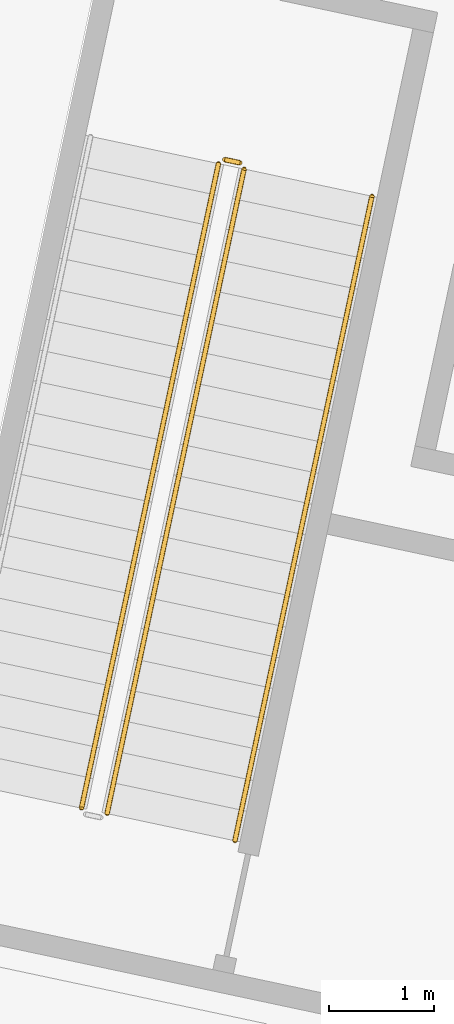
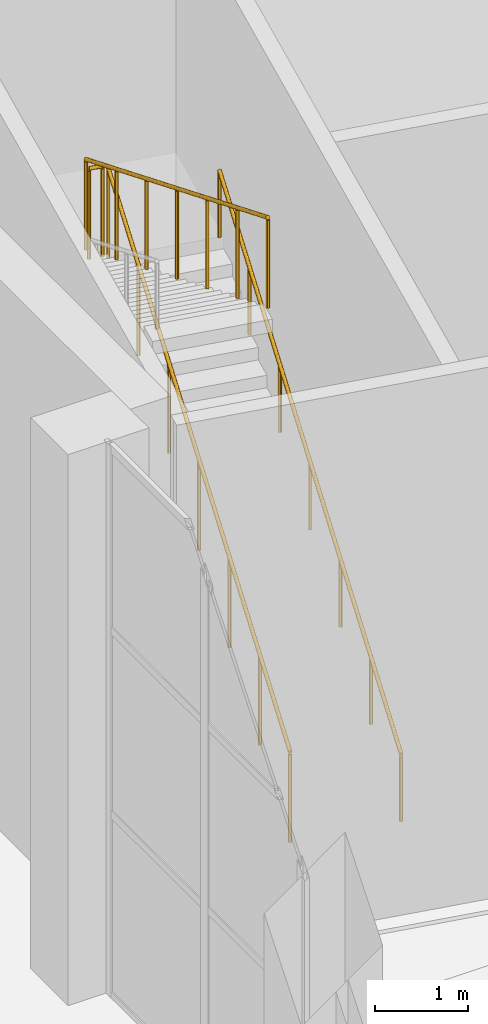
# One storey, part 224 of 239: 4 railings.
"""IFC4 building model written with IfcOpenShell, lengths in metres."""

from ifc_helpers import new_model, si_unit, direction, frame, origin, origin_2d, place, context, subcontext, project, spatial, circle, extrude, material, type_object, element, save


model = new_model("IFC4")

# Units and contexts
model_context = context("Model", 3, precision=1e-05, world=origin(), true_north=direction((0.0, 1.0)))
body_context = subcontext(model_context, "Body", "Model", "MODEL_VIEW")
ifc_project = project(units=[si_unit("LENGTHUNIT", "METRE"), si_unit("AREAUNIT", "SQUARE_METRE"), si_unit("VOLUMEUNIT", "CUBIC_METRE"), si_unit("PLANEANGLEUNIT", "RADIAN"), si_unit("MASSUNIT", "GRAM", prefix="KILO")], contexts=[model_context])

# Site, building, storey
site_placement = place(None, origin())
site = spatial("IfcSite", under=ifc_project, at=site_placement, CompositionType="ELEMENT")
building_placement = place(site_placement, origin())
building = spatial("IfcBuilding", under=site, at=building_placement, Name="Okhra Congress Centre", CompositionType="ELEMENT")
storey_placement = place(building_placement, origin())
storey = spatial("IfcBuildingStorey", under=building, at=storey_placement, Name="L00", CompositionType="ELEMENT", Elevation=0.0)

# Railings
ifc_material_1 = material(Name="Painted steel tube handrail on wall brackets", Category="steel")
railing_type_1 = type_object("IfcRailingType", Name="Steel handrail 900", PredefinedType="HANDRAIL", material=ifc_material_1)
railing_1_placement = place(storey_placement, frame((193.1943359375, 96.598876953125, 0.16357421875)))
element("IfcRailing", 1, at=railing_1_placement, inside=storey, type_object=railing_type_1, Name="L00 BG1 stair handrail 1", PredefinedType="HANDRAIL", context=body_context, shape_type="SweptSolid", body=[
    extrude(circle(Radius=0.02392578125, at=origin_2d()), frame((0.0, 0.0, 0.8759765625), z_axis=(0.182518357285, 0.858703794265, 0.478868293969), x_axis=(-0.978148705425, 0.207906493586, 0.0)), (0.0, 0.0, 1.0), 7.17626953125),
    extrude(circle(Radius=0.02099609375, at=origin_2d()), origin(), (0.0, 0.0, 1.0), 0.851806640625),
    extrude(circle(Radius=0.02099609375, at=origin_2d()), frame((0.21826171875, 1.027099609375, 0.57275390625)), (0.0, 0.0, 1.0), 0.851806640625),
    extrude(circle(Radius=0.02099609375, at=origin_2d()), frame((0.4365234375, 2.05419921875, 1.1455078125)), (0.0, 0.0, 1.0), 0.851806640625),
    extrude(circle(Radius=0.02099609375, at=origin_2d()), frame((0.65478515625, 3.0810546875, 1.71826171875)), (0.0, 0.0, 1.0), 0.851806640625),
    extrude(circle(Radius=0.02099609375, at=origin_2d()), frame((0.873291015625, 4.108154296875, 2.291015625)), (0.0, 0.0, 1.0), 0.851806640625),
    extrude(circle(Radius=0.02099609375, at=origin_2d()), frame((1.091552734375, 5.13525390625, 2.86376953125)), (0.0, 0.0, 1.0), 0.851806640625),
    extrude(circle(Radius=0.02099609375, at=origin_2d()), frame((1.309814453125, 6.162353515625, 3.4365234375)), (0.0, 0.0, 1.0), 0.851806640625),
])
ifc_material_2 = material(Name="Painted steel tube guard with vertical steel balusters", Category="steel")
railing_type_2 = type_object("IfcRailingType", Name="Steel stair guard 1200", PredefinedType="GUARDRAIL", material=ifc_material_2)
railing_2_placement = place(storey_placement, frame((191.9716796875, 96.85888671875, 0.16357421875)))
element("IfcRailing", 2, at=railing_2_placement, inside=storey, type_object=railing_type_2, Name="L00 BG1 stair guard 1", PredefinedType="GUARDRAIL", context=body_context, shape_type="SweptSolid", body=[
    extrude(circle(Radius=0.02392578125, at=origin_2d()), frame((0.0, 0.0, 1.17578125), z_axis=(0.182518357285, 0.858703794265, 0.478868293969), x_axis=(-0.978148705425, 0.207906493586, 0.0)), (0.0, 0.0, 1.0), 7.17626953125),
    extrude(circle(Radius=0.02099609375, at=origin_2d()), origin(), (0.0, 0.0, 1.0), 1.15185546875),
    extrude(circle(Radius=0.02099609375, at=origin_2d()), frame((0.21826171875, 1.027099609375, 0.57275390625)), (0.0, 0.0, 1.0), 1.15185546875),
    extrude(circle(Radius=0.02099609375, at=origin_2d()), frame((0.4365234375, 2.05419921875, 1.1455078125)), (0.0, 0.0, 1.0), 1.15185546875),
    extrude(circle(Radius=0.02099609375, at=origin_2d()), frame((0.65478515625, 3.0810546875, 1.71826171875)), (0.0, 0.0, 1.0), 1.15185546875),
    extrude(circle(Radius=0.02099609375, at=origin_2d()), frame((0.873291015625, 4.108154296875, 2.291015625)), (0.0, 0.0, 1.0), 1.15185546875),
    extrude(circle(Radius=0.02099609375, at=origin_2d()), frame((1.091552734375, 5.13525390625, 2.86376953125)), (0.0, 0.0, 1.0), 1.15185546875),
    extrude(circle(Radius=0.02099609375, at=origin_2d()), frame((1.309814453125, 6.162353515625, 3.4365234375)), (0.0, 0.0, 1.0), 1.15185546875),
])
railing_3_placement = place(storey_placement, frame((193.242919921875, 103.08056640625, 3.60009765625)))
element("IfcRailing", 3, at=railing_3_placement, inside=storey, type_object=railing_type_2, Name="L00 BG1 stair guard 2", PredefinedType="GUARDRAIL", context=body_context, shape_type="SweptSolid", body=[
    extrude(circle(Radius=0.02392578125, at=origin_2d()), frame((0.0, 0.0, 1.17578125), z_axis=(-0.978394052898, 0.206748826486, 0.0), x_axis=(-0.206748826486, -0.978394052898, 0.0)), (0.0, 0.0, 1.0), 0.14990234375),
    extrude(circle(Radius=0.02099609375, at=origin_2d()), origin(), (0.0, 0.0, 1.0), 1.15185546875),
    extrude(circle(Radius=0.02099609375, at=origin_2d()), frame((-0.146728515625, 0.031005859375, 0.0)), (0.0, 0.0, 1.0), 1.15185546875),
])
railing_4_placement = place(storey_placement, frame((193.036865234375, 103.0732421875, 3.763671875)))
element("IfcRailing", 4, at=railing_4_placement, inside=storey, type_object=railing_type_2, Name="L00 BG1 stair guard 3", PredefinedType="GUARDRAIL", context=body_context, shape_type="SweptSolid", body=[
    extrude(circle(Radius=0.02392578125, at=origin_2d()), frame((0.0, 0.0, 1.17578125), z_axis=(-0.182521330694, -0.85871778342, 0.478842074467), x_axis=(0.978148705425, -0.207906493586, 0.0)), (0.0, 0.0, 1.0), 7.17626953125),
    extrude(circle(Radius=0.02099609375, at=origin_2d()), origin(), (0.0, 0.0, 1.0), 1.15185546875),
    extrude(circle(Radius=0.02099609375, at=origin_2d()), frame((-0.21826171875, -1.027099609375, 0.57275390625)), (0.0, 0.0, 1.0), 1.15185546875),
    extrude(circle(Radius=0.02099609375, at=origin_2d()), frame((-0.4365234375, -2.05419921875, 1.1455078125)), (0.0, 0.0, 1.0), 1.15185546875),
    extrude(circle(Radius=0.02099609375, at=origin_2d()), frame((-0.65478515625, -3.0810546875, 1.71826171875)), (0.0, 0.0, 1.0), 1.15185546875),
    extrude(circle(Radius=0.02099609375, at=origin_2d()), frame((-0.873291015625, -4.108154296875, 2.290771484375)), (0.0, 0.0, 1.0), 1.15185546875),
    extrude(circle(Radius=0.02099609375, at=origin_2d()), frame((-1.091552734375, -5.13525390625, 2.863525390625)), (0.0, 0.0, 1.0), 1.15185546875),
    extrude(circle(Radius=0.02099609375, at=origin_2d()), frame((-1.309814453125, -6.162353515625, 3.436279296875)), (0.0, 0.0, 1.0), 1.15185546875),
])

save(model, "model.ifc")
